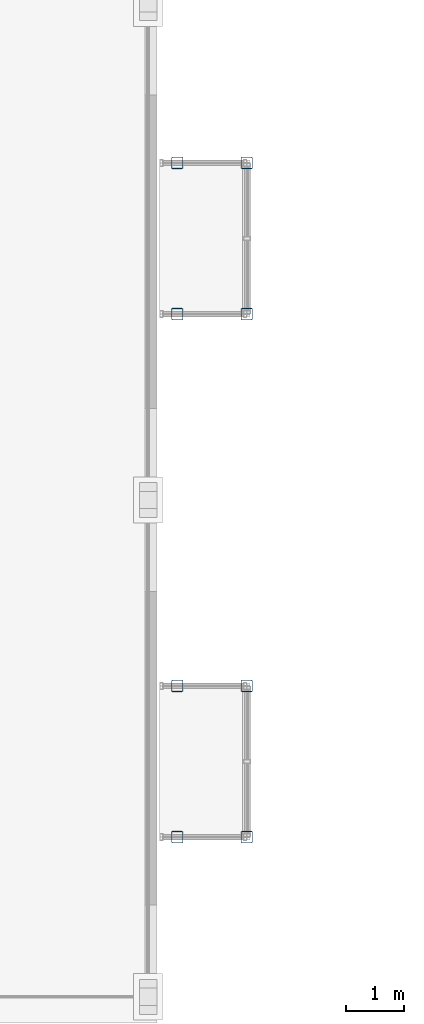
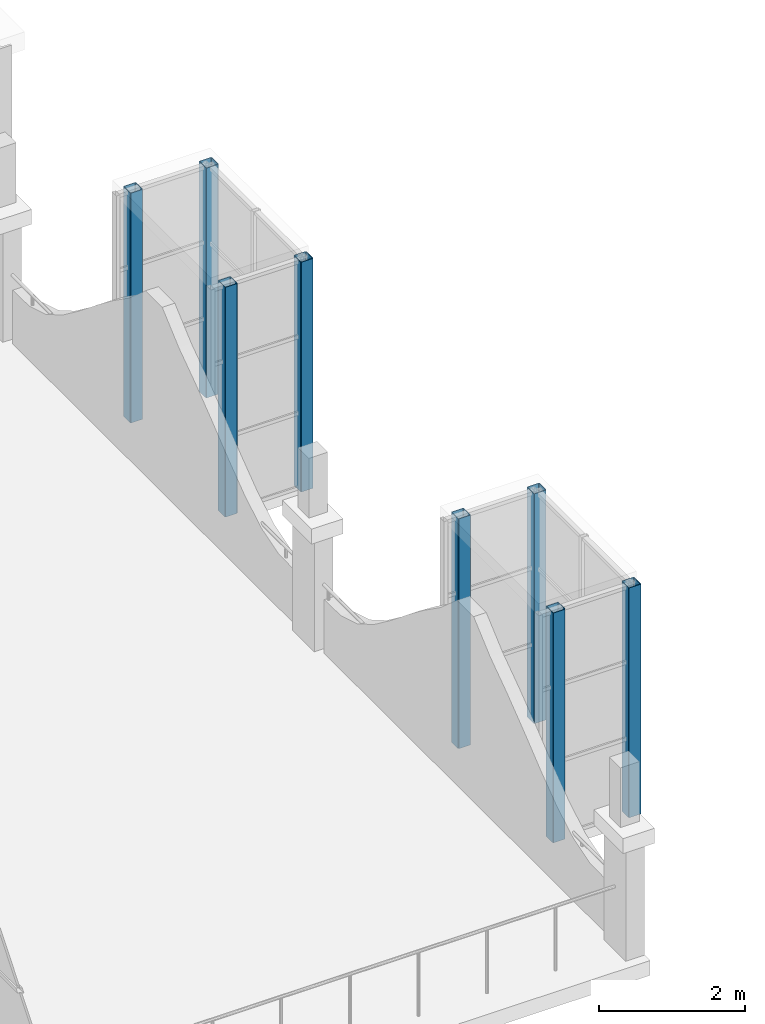
# One storey, part 5 of 111: 8 columns.
"""IFC4 building model written with IfcOpenShell, lengths in metres."""

from ifc_helpers import new_model, si_unit, direction, frame, origin, origin_2d, place, context, subcontext, project, spatial, hollow_rectangle, extrude, material, material_profile, profile_set, type_object, element, save


model = new_model("IFC4")

# Units and contexts
model_context = context("Model", 3, precision=1e-05, world=origin(), true_north=direction((0.0, 1.0)))
body_context = subcontext(model_context, "Body", "Model", "MODEL_VIEW")
ifc_project = project(units=[si_unit("LENGTHUNIT", "METRE"), si_unit("AREAUNIT", "SQUARE_METRE"), si_unit("VOLUMEUNIT", "CUBIC_METRE"), si_unit("PLANEANGLEUNIT", "RADIAN"), si_unit("MASSUNIT", "GRAM", prefix="KILO")], contexts=[model_context])

# Site, building, storey
site_placement = place(None, origin())
site = spatial("IfcSite", under=ifc_project, at=site_placement, CompositionType="ELEMENT")
building_placement = place(site_placement, origin())
building = spatial("IfcBuilding", under=site, at=building_placement, Name="Kallimachos Central Library", CompositionType="ELEMENT")
storey_placement = place(building_placement, frame((0.0, 0.0, 14.39990234375)))
storey = spatial("IfcBuildingStorey", under=building, at=storey_placement, Name="L03", CompositionType="ELEMENT", Elevation=14.39990234375)

# Columns
ifc_material = material(Name="Steel S355J2H", Category="steel")
ifc_material_profile = material_profile(ifc_material, hollow_rectangle(XDim=0.199951171875, YDim=0.199951171875, WallThickness=0.010009765625, InnerFilletRadius=0.010009765625, OuterFilletRadius=0.014892578125, at=origin_2d()), Name="SHS 200x200x10")
ifc_profile_set = profile_set([ifc_material_profile], Name="Steel S355J2H")
column_type = type_object("IfcColumnType", Name="SHS 200x200x10 column", PredefinedType="COLUMN", material=ifc_profile_set)
for number, where, z_axis, x_axis, name in (
    (1, (110.85009765625, 60.199951171875, 0.0), (0.0, 0.0, 1.0), (1.0, 0.0, 0.0), "Tribune bay E1 column 1"),
    (2, (110.85009765625, 62.800048828125, 0.0), (0.0, 0.0, 1.0), (1.0, 0.0, 0.0), "Tribune bay E1 column 2"),
    (3, (112.050048828125, 60.199951171875, 0.0), (0.0, 0.0, 1.0), (1.0, 0.0, 0.0), "Tribune bay E1 column 3"),
    (4, (112.050048828125, 62.800048828125, 0.0), (0.0, 0.0, 1.0), (1.0, 0.0, 0.0), "Tribune bay E1 column 4"),
    (5, (110.85009765625, 69.199951171875, 0.0), (0.0, 0.0, 1.0), (1.0, 0.0, 0.0), "Tribune bay E2 column 1"),
    (6, (110.85009765625, 71.800048828125, 0.0), (0.0, 0.0, 1.0), (1.0, 0.0, 0.0), "Tribune bay E2 column 2"),
    (7, (112.050048828125, 69.199951171875, 0.0), (0.0, 0.0, 1.0), (1.0, 0.0, 0.0), "Tribune bay E2 column 3"),
    (8, (112.050048828125, 71.800048828125, 0.0), (0.0, 0.0, 1.0), (1.0, 0.0, 0.0), "Tribune bay E2 column 4"),
):
    element("IfcColumn", number, at=place(storey_placement, frame(where, z_axis=z_axis, x_axis=x_axis)), inside=storey, type_object=column_type, Name=name, PredefinedType="COLUMN", context=body_context, shape_type="SweptSolid", body=[
        extrude(hollow_rectangle(XDim=0.199951171875, YDim=0.199951171875, WallThickness=0.010009765625, InnerFilletRadius=0.010009765625, OuterFilletRadius=0.014892578125, at=origin_2d()), origin(), (0.0, 0.0, 1.0), 3.85009765625),
    ])

save(model, "model.ifc")
